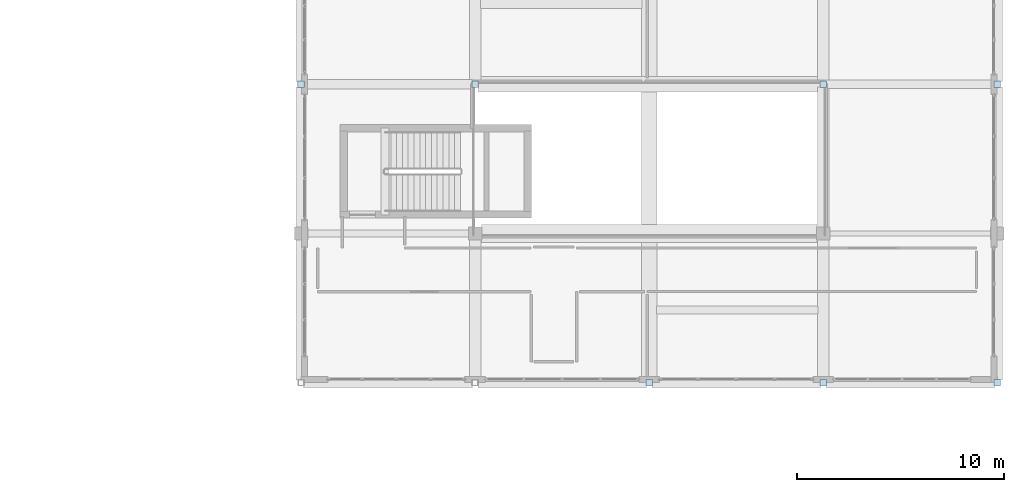
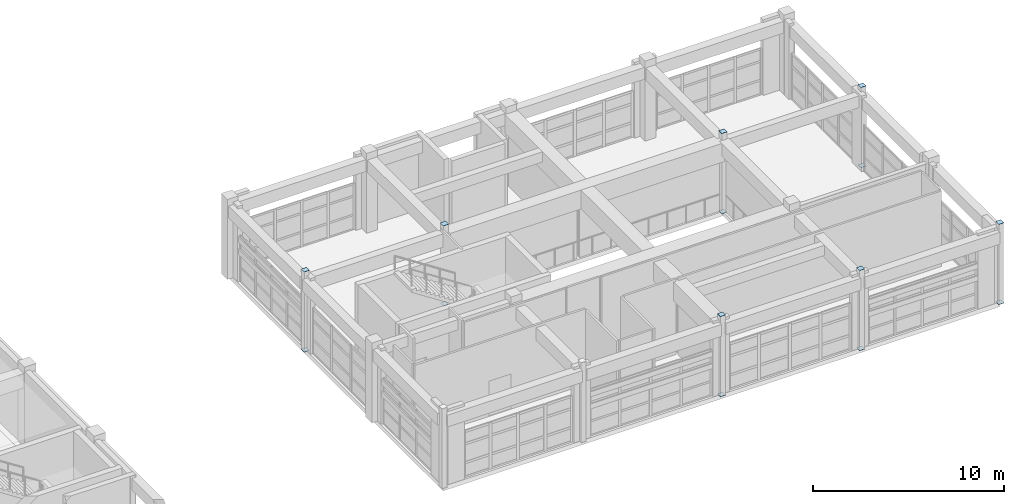
# One storey, part 82 of 103: 14 plates.
"""IFC4 building model written with IfcOpenShell, lengths in metres."""

from ifc_helpers import new_model, si_unit, direction, frame, origin, origin_2d, place, context, subcontext, project, spatial, rectangle, extrude, material, layer, layer_set, type_object, element, save


model = new_model("IFC4")

# Units and contexts
model_context = context("Model", 3, precision=1e-05, world=origin(), true_north=direction((0.0, 1.0)))
body_context = subcontext(model_context, "Body", "Model", "MODEL_VIEW")
ifc_project = project(units=[si_unit("LENGTHUNIT", "METRE"), si_unit("AREAUNIT", "SQUARE_METRE"), si_unit("VOLUMEUNIT", "CUBIC_METRE"), si_unit("PLANEANGLEUNIT", "RADIAN"), si_unit("MASSUNIT", "GRAM", prefix="KILO")], contexts=[model_context])

# Site, building, storey
site_placement = place(None, origin())
site = spatial("IfcSite", under=ifc_project, at=site_placement, CompositionType="ELEMENT")
building_placement = place(site_placement, origin())
building = spatial("IfcBuilding", under=site, at=building_placement, Name="Quendrovan Civic Courthouse", CompositionType="ELEMENT")
storey_placement = place(building_placement, frame((0.0, 0.0, 15.300048828125)))
storey = spatial("IfcBuildingStorey", under=building, at=storey_placement, Name="L04", CompositionType="ELEMENT", Elevation=15.300048828125)

# Plates
ifc_material = material(Name="Steel ASTM A572 Grade 50", Category="steel")
ifc_layer = layer(ifc_material, 0.011962890625, Name="Steel ASTM A572 Grade 50")
ifc_layer_set = layer_set([ifc_layer], Name="Steel ASTM A572 Grade 50")
plate_type = type_object("IfcPlateType", Name="PLT-CAP-12", PredefinedType="SHEET", material=ifc_layer_set)
for number, where, z_axis, x_axis, name in (
    (1, (109.199951171875, 102.0, 5.10009765625), (0.0, 0.0, 1.0), (1.0, 0.0, 0.0), "L04 Hollow Column End Cap Plate COL-L04-14-P-TOP"),
    (2, (109.199951171875, 102.0, -0.01220703125), (0.0, 0.0, 1.0), (1.0, 0.0, 0.0), "L04 Hollow Column End Cap Plate COL-L04-14-P-BOT"),
    (3, (117.60009765625, 102.0, 5.10009765625), (0.0, 0.0, 1.0), (1.0, 0.0, 0.0), "L04 Hollow Column End Cap Plate COL-L04-15-P-TOP"),
    (4, (117.60009765625, 102.0, -0.01220703125), (0.0, 0.0, 1.0), (1.0, 0.0, 0.0), "L04 Hollow Column End Cap Plate COL-L04-15-P-BOT"),
    (5, (126.0, 87.60009765625, 5.10009765625), (0.0, 0.0, 1.0), (1.0, 0.0, 0.0), "L04 Hollow Column End Cap Plate COL-L04-16-M-TOP"),
    (6, (126.0, 87.60009765625, -0.01220703125), (0.0, 0.0, 1.0), (1.0, 0.0, 0.0), "L04 Hollow Column End Cap Plate COL-L04-16-M-BOT"),
    (7, (134.39990234375, 87.60009765625, 5.10009765625), (0.0, 0.0, 1.0), (1.0, 0.0, 0.0), "L04 Hollow Column End Cap Plate COL-L04-17-M-TOP"),
    (8, (134.39990234375, 87.60009765625, -0.01220703125), (0.0, 0.0, 1.0), (1.0, 0.0, 0.0), "L04 Hollow Column End Cap Plate COL-L04-17-M-BOT"),
    (9, (134.39990234375, 102.0, 5.10009765625), (0.0, 0.0, 1.0), (1.0, 0.0, 0.0), "L04 Hollow Column End Cap Plate COL-L04-17-P-TOP"),
    (10, (134.39990234375, 102.0, -0.01220703125), (0.0, 0.0, 1.0), (1.0, 0.0, 0.0), "L04 Hollow Column End Cap Plate COL-L04-17-P-BOT"),
    (11, (142.800048828125, 87.60009765625, 5.10009765625), (0.0, 0.0, 1.0), (1.0, 0.0, 0.0), "L04 Hollow Column End Cap Plate COL-L04-18-M-TOP"),
    (12, (142.800048828125, 87.60009765625, -0.01220703125), (0.0, 0.0, 1.0), (1.0, 0.0, 0.0), "L04 Hollow Column End Cap Plate COL-L04-18-M-BOT"),
    (13, (142.800048828125, 102.0, 5.10009765625), (0.0, 0.0, 1.0), (1.0, 0.0, 0.0), "L04 Hollow Column End Cap Plate COL-L04-18-P-TOP"),
    (14, (142.800048828125, 102.0, -0.01220703125), (0.0, 0.0, 1.0), (1.0, 0.0, 0.0), "L04 Hollow Column End Cap Plate COL-L04-18-P-BOT"),
):
    element("IfcPlate", number, at=place(storey_placement, frame(where, z_axis=z_axis, x_axis=x_axis)), inside=storey, type_object=plate_type, Name=name, PredefinedType="SHEET", context=body_context, shape_type="SweptSolid", body=[
        extrude(rectangle(XDim=0.320068359375, YDim=0.320068359375, at=origin_2d()), origin(), (0.0, 0.0, 1.0), 0.011962890625),
    ])

save(model, "model.ifc")
